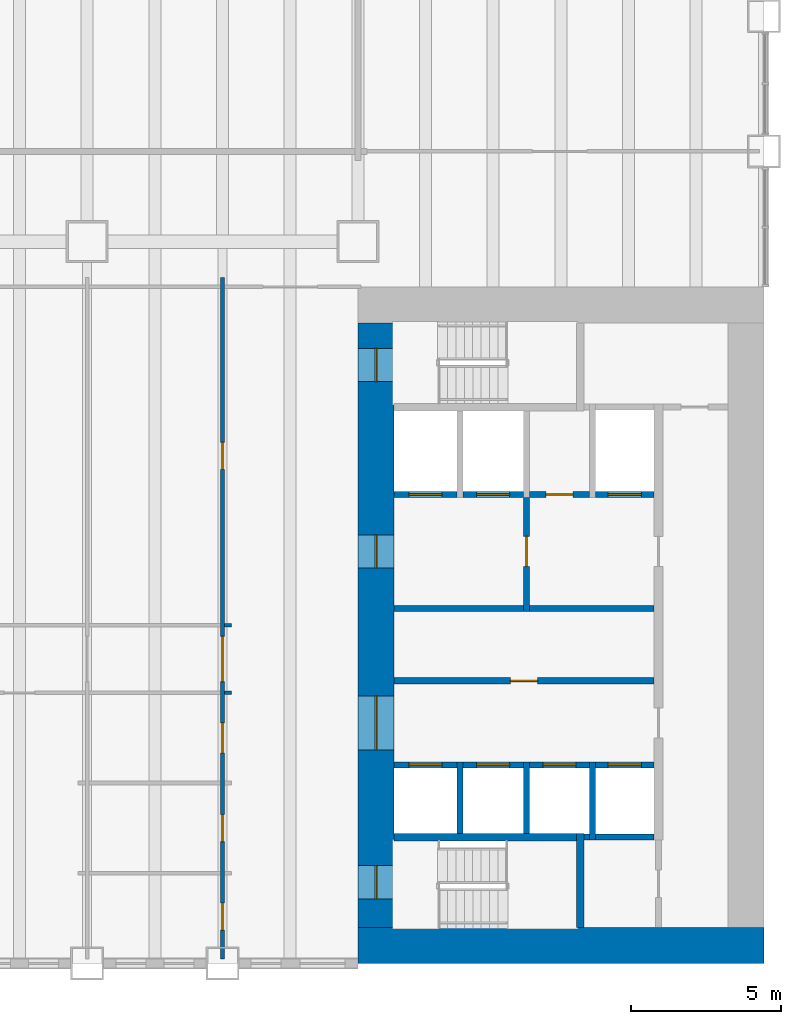
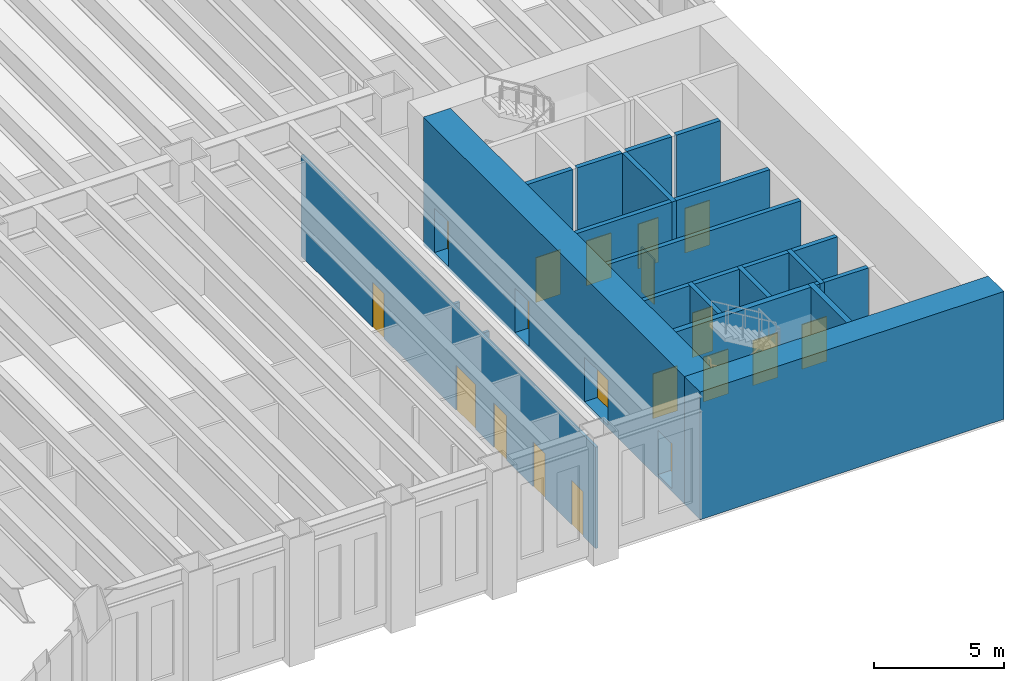
# One storey, part 9 of 19: 24 walls, 19 doors, 19 openings.
"""IFC4 building model written with IfcOpenShell, lengths in metres."""

from ifc_helpers import new_model, si_unit, direction, frame, frame_2d, origin, place, context, subcontext, project, spatial, rectangle, extrude, material, layer, layer_set, type_object, element, fill, save


model = new_model("IFC4")

# Units and contexts
model_context = context("Model", 3, precision=1e-05, world=origin(), true_north=direction((0.0, 1.0)))
body_context = subcontext(model_context, "Body", "Model", "MODEL_VIEW")
ifc_project = project(units=[si_unit("LENGTHUNIT", "METRE"), si_unit("AREAUNIT", "SQUARE_METRE"), si_unit("VOLUMEUNIT", "CUBIC_METRE"), si_unit("PLANEANGLEUNIT", "RADIAN"), si_unit("MASSUNIT", "GRAM", prefix="KILO")], contexts=[model_context])

# Site, building, storey
site_placement = place(None, origin())
site = spatial("IfcSite", under=ifc_project, at=site_placement, CompositionType="ELEMENT")
building_placement = place(site_placement, origin())
building = spatial("IfcBuilding", under=site, at=building_placement, Name="Sennacour Bend Tower", CompositionType="ELEMENT")
storey_placement = place(building_placement, frame((0.0, 0.0, 8.0)))
storey = spatial("IfcBuildingStorey", under=building, at=storey_placement, Name="L01", CompositionType="ELEMENT", Elevation=8.0)

# Wall
ifc_material_1 = material(Name="Concrete C80/95", Category="concrete")
ifc_layer_1 = layer(ifc_material_1, 1.199951171875, Name="Concrete C80/95", Category="concrete")
ifc_layer_set_1 = layer_set([ifc_layer_1], Name="Concrete C80/95")
wall_type_1 = type_object("IfcWallType", Name="Core wall 1200 C80/95", PredefinedType="SHEAR", material=ifc_layer_set_1)
wall_1_placement = place(storey_placement, frame((67.5, 0.60009765625, -0.14990234375), z_axis=(0.0, 0.0, 1.0), x_axis=(-1.0, 0.0, 0.0)))
element("IfcWall", 1, at=wall_1_placement, inside=storey, type_object=wall_type_1, Name="Core A wall L01 S", PredefinedType="SHEAR", context=body_context, shape_type="SweptSolid", body=[
    extrude(rectangle(XDim=13.5, YDim=1.199951171875, at=frame_2d((6.75, 0.0))), origin(), (0.0, 0.0, 1.0), 6.0),
])

# Wall, openings, doors
wall_2_placement = place(storey_placement, frame((54.60009765625, 1.199951171875, -0.14990234375), z_axis=(0.0, 0.0, 1.0), x_axis=(0.0, 1.0, 0.0)))
wall_2 = element("IfcWall", 2, at=wall_2_placement, inside=storey, type_object=wall_type_1, Name="Core A wall L01 W", PredefinedType="SHEAR", context=body_context, shape_type="SweptSolid", body=[
    extrude(rectangle(XDim=20.10009765625, YDim=1.199951171875, at=frame_2d((10.050048828125, 0.0))), origin(), (0.0, 0.0, 1.0), 6.0),
])
opening_1_placement = place(wall_2_placement, frame((5.89990234375, 0.0, 0.14990234375)))
opening_1 = element("IfcOpeningElement", 3, at=opening_1_placement, cuts=wall_2, Name="Opening CD", PredefinedType="OPENING", context=body_context, shape_type="SweptSolid", body=[
    extrude(rectangle(XDim=1.800048828125, YDim=2.10009765625, at=frame_2d((0.89990234375, 1.050048828125))), frame((0.0, 0.60986328125, 0.0), z_axis=(0.0, -1.0, 0.0), x_axis=(1.0, 0.0, 0.0)), (0.0, 0.0, 1.0), 1.219970703125),
])
opening_2_placement = place(wall_2_placement, frame((11.949951171875, 0.0, 0.14990234375)))
opening_2 = element("IfcOpeningElement", 4, at=opening_2_placement, cuts=wall_2, Name="Opening FD", PredefinedType="OPENING", context=body_context, shape_type="SweptSolid", body=[
    extrude(rectangle(XDim=1.10009765625, YDim=2.10009765625, at=frame_2d((0.550048828125, 1.050048828125))), frame((0.0, 0.60986328125, 0.0), z_axis=(0.0, -1.0, 0.0), x_axis=(1.0, 0.0, 0.0)), (0.0, 0.0, 1.0), 1.219970703125),
])
opening_3_placement = place(wall_2_placement, frame((0.949951171875, 0.0, 0.14990234375)))
opening_3 = element("IfcOpeningElement", 5, at=opening_3_placement, cuts=wall_2, Name="Opening SD", PredefinedType="OPENING", context=body_context, shape_type="SweptSolid", body=[
    extrude(rectangle(XDim=1.10009765625, YDim=2.10009765625, at=frame_2d((0.550048828125, 1.050048828125))), frame((0.0, 0.60986328125, 0.0), z_axis=(0.0, -1.0, 0.0), x_axis=(1.0, 0.0, 0.0)), (0.0, 0.0, 1.0), 1.219970703125),
])
opening_4_placement = place(wall_2_placement, frame((18.14990234375, 0.0, 0.14990234375)))
opening_4 = element("IfcOpeningElement", 6, at=opening_4_placement, cuts=wall_2, Name="Opening SD", PredefinedType="OPENING", context=body_context, shape_type="SweptSolid", body=[
    extrude(rectangle(XDim=1.10009765625, YDim=2.10009765625, at=frame_2d((0.550048828125, 1.050048828125))), frame((0.0, 0.60986328125, 0.0), z_axis=(0.0, -1.0, 0.0), x_axis=(1.0, 0.0, 0.0)), (0.0, 0.0, 1.0), 1.219970703125),
])
ifc_material_2 = material(Name="Painted steel", Category="steel")
door_type_1 = type_object("IfcDoorType", Name="DR-FFL-1100", OperationType="NOTDEFINED", PredefinedType="DOOR", material=ifc_material_2)
door_1_placement = place(opening_2_placement, origin())
door_1 = element("IfcDoor", 7, at=door_1_placement, inside=storey, type_object=door_type_1, Name="Door", OperationType="SINGLE_SWING_RIGHT", OverallHeight=2.10009765625, OverallWidth=1.10009765625, PredefinedType="DOOR", context=body_context, shape_type="SweptSolid", body=[
    extrude(rectangle(XDim=1.10009765625, YDim=2.10009765625, at=frame_2d((0.550048828125, 1.050048828125))), frame((0.0, 0.02490234375, 0.0), z_axis=(0.0, -1.0, 0.0), x_axis=(1.0, 0.0, 0.0)), (0.0, 0.0, 1.0), 0.050048828125),
])
fill(opening_2, door_1)
door_type_2 = type_object("IfcDoorType", Name="DR-LOBBY-1800", OperationType="NOTDEFINED", PredefinedType="DOOR", material=ifc_material_2)
door_2_placement = place(opening_1_placement, origin())
door_2 = element("IfcDoor", 8, at=door_2_placement, inside=storey, type_object=door_type_2, Name="Door", OperationType="DOUBLE_DOOR_SINGLE_SWING", OverallHeight=2.10009765625, OverallWidth=1.800048828125, PredefinedType="DOOR", context=body_context, shape_type="SweptSolid", body=[
    extrude(rectangle(XDim=1.800048828125, YDim=2.10009765625, at=frame_2d((0.89990234375, 1.050048828125))), frame((0.0, 0.02490234375, 0.0), z_axis=(0.0, -1.0, 0.0), x_axis=(1.0, 0.0, 0.0)), (0.0, 0.0, 1.0), 0.050048828125),
])
fill(opening_1, door_2)
door_type_3 = type_object("IfcDoorType", Name="DR-STAIR-1100", OperationType="NOTDEFINED", PredefinedType="DOOR", material=ifc_material_2)
door_3_placement = place(opening_3_placement, origin())
door_3 = element("IfcDoor", 9, at=door_3_placement, inside=storey, type_object=door_type_3, Name="Door", OperationType="SINGLE_SWING_LEFT", OverallHeight=2.10009765625, OverallWidth=1.10009765625, PredefinedType="DOOR", context=body_context, shape_type="SweptSolid", body=[
    extrude(rectangle(XDim=1.10009765625, YDim=2.10009765625, at=frame_2d((0.550048828125, 1.050048828125))), frame((0.0, 0.02490234375, 0.0), z_axis=(0.0, -1.0, 0.0), x_axis=(1.0, 0.0, 0.0)), (0.0, 0.0, 1.0), 0.050048828125),
])
fill(opening_3, door_3)
door_4_placement = place(opening_4_placement, origin())
door_4 = element("IfcDoor", 10, at=door_4_placement, inside=storey, type_object=door_type_3, Name="Door", OperationType="SINGLE_SWING_RIGHT", OverallHeight=2.10009765625, OverallWidth=1.10009765625, PredefinedType="DOOR", context=body_context, shape_type="SweptSolid", body=[
    extrude(rectangle(XDim=1.10009765625, YDim=2.10009765625, at=frame_2d((0.550048828125, 1.050048828125))), frame((0.0, 0.02490234375, 0.0), z_axis=(0.0, -1.0, 0.0), x_axis=(1.0, 0.0, 0.0)), (0.0, 0.0, 1.0), 0.050048828125),
])
fill(opening_4, door_4)

# Walls
ifc_material_3 = material(Name="Plasterboard partition on steel studs", Category="steel")
ifc_layer_2 = layer(ifc_material_3, 0.1201171875, Name="Plasterboard partition on steel studs", Category="steel")
ifc_layer_set_2 = layer_set([ifc_layer_2], Name="Plasterboard partition on steel studs")
wall_type_2 = type_object("IfcWallType", Name="Partition 120", PredefinedType="PARTITIONING", material=ifc_layer_set_2)
for number, where, z_axis, x_axis, name in (
    (11, (49.56005859375, 9.0, 0.0), (0.0, 0.0, 1.0), (1.0, 0.0, 0.0), "P-L01-W051ai"),
    (12, (49.56005859375, 11.25, 0.0), (0.0, 0.0, 1.0), (1.0, 0.0, 0.0), "P-L01-W053ag"),
):
    element("IfcWall", number, at=place(storey_placement, frame(where, z_axis=z_axis, x_axis=x_axis)), inside=storey, type_object=wall_type_2, Name=name, PredefinedType="PARTITIONING", context=body_context, shape_type="SweptSolid", body=[
        extrude(rectangle(XDim=0.239990234375, YDim=0.1201171875, at=frame_2d((0.1201171875, 0.0))), origin(), (0.0, 0.0, 1.0), 4.7587890625),
    ])

# Wall, openings, doors
ifc_layer_3 = layer(ifc_material_3, 0.1201171875, Name="Plasterboard partition on steel studs", Category="steel")
ifc_layer_set_3 = layer_set([ifc_layer_3], Name="Plasterboard partition on steel studs")
wall_type_3 = type_object("IfcWallType", Name="Partition 120 EI 60", PredefinedType="PARTITIONING", material=ifc_layer_set_3)
wall_3_placement = place(storey_placement, frame((49.5, 0.14990234375, 0.0), z_axis=(0.0, 0.0, 1.0), x_axis=(0.0, 1.0, 0.0)))
wall_3 = element("IfcWall", 13, at=wall_3_placement, inside=storey, type_object=wall_type_3, Name="P-L01-W028a", PredefinedType="PARTITIONING", context=body_context, shape_type="SweptSolid", body=[
    extrude(rectangle(XDim=22.650146484375, YDim=0.1201171875, at=frame_2d((11.3251953125, 0.0))), origin(), (0.0, 0.0, 1.0), 4.7587890625),
])
opening_5_placement = place(wall_3_placement, frame((0.955078125, 0.0, 0.0)))
opening_5 = element("IfcOpeningElement", 14, at=opening_5_placement, cuts=wall_3, Name="Opening WD", PredefinedType="OPENING", context=body_context, shape_type="SweptSolid", body=[
    extrude(rectangle(XDim=0.89990234375, YDim=2.10009765625, at=frame_2d((0.449951171875, 1.050048828125))), frame((0.0, 0.070068359375, 0.0), z_axis=(0.0, -1.0, 0.0), x_axis=(1.0, 0.0, 0.0)), (0.0, 0.0, 1.0), 0.14013671875),
])
opening_6_placement = place(wall_3_placement, frame((3.900146484375, 0.0, 0.0)))
opening_6 = element("IfcOpeningElement", 15, at=opening_6_placement, cuts=wall_3, Name="Opening WD", PredefinedType="OPENING", context=body_context, shape_type="SweptSolid", body=[
    extrude(rectangle(XDim=0.89990234375, YDim=2.10009765625, at=frame_2d((0.449951171875, 1.050048828125))), frame((0.0, 0.070068359375, 0.0), z_axis=(0.0, -1.0, 0.0), x_axis=(1.0, 0.0, 0.0)), (0.0, 0.0, 1.0), 0.14013671875),
])
opening_7_placement = place(wall_3_placement, frame((6.85009765625, 0.0, 0.0)))
opening_7 = element("IfcOpeningElement", 16, at=opening_7_placement, cuts=wall_3, Name="Opening AD", PredefinedType="OPENING", context=body_context, shape_type="SweptSolid", body=[
    extrude(rectangle(XDim=1.0, YDim=2.10009765625, at=frame_2d((0.5, 1.050048828125))), frame((0.0, 0.070068359375, 0.0), z_axis=(0.0, -1.0, 0.0), x_axis=(1.0, 0.0, 0.0)), (0.0, 0.0, 1.0), 0.14013671875),
])
opening_8_placement = place(wall_3_placement, frame((16.275146484375, 0.0, 0.0)))
opening_8 = element("IfcOpeningElement", 17, at=opening_8_placement, cuts=wall_3, Name="Opening SV", PredefinedType="OPENING", context=body_context, shape_type="SweptSolid", body=[
    extrude(rectangle(XDim=0.89990234375, YDim=2.10009765625, at=frame_2d((0.449951171875, 1.050048828125))), frame((0.0, 0.070068359375, 0.0), z_axis=(0.0, -1.0, 0.0), x_axis=(1.0, 0.0, 0.0)), (0.0, 0.0, 1.0), 0.14013671875),
])
opening_9_placement = place(wall_3_placement, frame((9.22509765625, 0.0, 0.0)))
opening_9 = element("IfcOpeningElement", 18, at=opening_9_placement, cuts=wall_3, Name="Opening KD", PredefinedType="OPENING", context=body_context, shape_type="SweptSolid", body=[
    extrude(rectangle(XDim=1.5, YDim=2.10009765625, at=frame_2d((0.75, 1.050048828125))), frame((0.0, 0.070068359375, 0.0), z_axis=(0.0, -1.0, 0.0), x_axis=(1.0, 0.0, 0.0)), (0.0, 0.0, 1.0), 0.14013671875),
])
ifc_material_4 = material(Name="Timber", Category="wood")
door_type_4 = type_object("IfcDoorType", Name="DR-ACC-WC-1000", OperationType="NOTDEFINED", PredefinedType="DOOR", material=ifc_material_4)
door_5_placement = place(opening_7_placement, origin())
door_5 = element("IfcDoor", 19, at=door_5_placement, inside=storey, type_object=door_type_4, Name="Door", OperationType="SINGLE_SWING_LEFT", OverallHeight=2.10009765625, OverallWidth=1.0, PredefinedType="DOOR", context=body_context, shape_type="SweptSolid", body=[
    extrude(rectangle(XDim=1.0, YDim=2.10009765625, at=frame_2d((0.5, 1.050048828125))), frame((0.0, 0.02490234375, 0.0), z_axis=(0.0, -1.0, 0.0), x_axis=(1.0, 0.0, 0.0)), (0.0, 0.0, 1.0), 0.050048828125),
])
fill(opening_7, door_5)
door_type_5 = type_object("IfcDoorType", Name="DR-CORRIDOR-1500", OperationType="NOTDEFINED", PredefinedType="DOOR", material=ifc_material_2)
door_6_placement = place(opening_9_placement, origin())
door_6 = element("IfcDoor", 20, at=door_6_placement, inside=storey, type_object=door_type_5, Name="Door", OperationType="SINGLE_SWING_LEFT", OverallHeight=2.10009765625, OverallWidth=1.5, PredefinedType="DOOR", context=body_context, shape_type="SweptSolid", body=[
    extrude(rectangle(XDim=1.5, YDim=2.10009765625, at=frame_2d((0.75, 1.050048828125))), frame((0.0, 0.02490234375, 0.0), z_axis=(0.0, -1.0, 0.0), x_axis=(1.0, 0.0, 0.0)), (0.0, 0.0, 1.0), 0.050048828125),
])
fill(opening_9, door_6)
door_type_6 = type_object("IfcDoorType", Name="DR-SERVICE-900", OperationType="NOTDEFINED", PredefinedType="DOOR", material=ifc_material_2)
door_7_placement = place(opening_8_placement, origin())
door_7 = element("IfcDoor", 21, at=door_7_placement, inside=storey, type_object=door_type_6, Name="Door", OperationType="SINGLE_SWING_RIGHT", OverallHeight=2.10009765625, OverallWidth=0.89990234375, PredefinedType="DOOR", context=body_context, shape_type="SweptSolid", body=[
    extrude(rectangle(XDim=0.89990234375, YDim=2.10009765625, at=frame_2d((0.449951171875, 1.050048828125))), frame((0.0, 0.02490234375, 0.0), z_axis=(0.0, -1.0, 0.0), x_axis=(1.0, 0.0, 0.0)), (0.0, 0.0, 1.0), 0.050048828125),
])
fill(opening_8, door_7)
door_type_7 = type_object("IfcDoorType", Name="DR-WC-900", OperationType="NOTDEFINED", PredefinedType="DOOR", material=ifc_material_4)
door_8_placement = place(opening_5_placement, origin())
door_8 = element("IfcDoor", 22, at=door_8_placement, inside=storey, type_object=door_type_7, Name="Door", OperationType="SINGLE_SWING_LEFT", OverallHeight=2.10009765625, OverallWidth=0.89990234375, PredefinedType="DOOR", context=body_context, shape_type="SweptSolid", body=[
    extrude(rectangle(XDim=0.89990234375, YDim=2.10009765625, at=frame_2d((0.449951171875, 1.050048828125))), frame((0.0, 0.02490234375, 0.0), z_axis=(0.0, -1.0, 0.0), x_axis=(1.0, 0.0, 0.0)), (0.0, 0.0, 1.0), 0.050048828125),
])
fill(opening_5, door_8)
door_9_placement = place(opening_6_placement, origin())
door_9 = element("IfcDoor", 23, at=door_9_placement, inside=storey, type_object=door_type_7, Name="Door", OperationType="SINGLE_SWING_LEFT", OverallHeight=2.10009765625, OverallWidth=0.89990234375, PredefinedType="DOOR", context=body_context, shape_type="SweptSolid", body=[
    extrude(rectangle(XDim=0.89990234375, YDim=2.10009765625, at=frame_2d((0.449951171875, 1.050048828125))), frame((0.0, 0.02490234375, 0.0), z_axis=(0.0, -1.0, 0.0), x_axis=(1.0, 0.0, 0.0)), (0.0, 0.0, 1.0), 0.050048828125),
])
fill(opening_6, door_9)

# Wall, opening, door
ifc_material_5 = material(Name="Fire-rated plasterboard partition on steel studs", Category="steel")
ifc_layer_4 = layer(ifc_material_5, 0.199951171875, Name="Fire-rated plasterboard partition on steel studs", Category="steel")
ifc_layer_set_4 = layer_set([ifc_layer_4], Name="Fire-rated plasterboard partition on steel studs")
wall_type_4 = type_object("IfcWallType", Name="Rated partition 200", PredefinedType="PARTITIONING", material=ifc_layer_set_4)
wall_4_placement = place(storey_placement, frame((55.199951171875, 9.39990234375, 0.0), z_axis=(0.0, 0.0, 1.0), x_axis=(1.0, 0.0, 0.0)))
wall_4 = element("IfcWall", 24, at=wall_4_placement, inside=storey, type_object=wall_type_4, Name="P-L01-W052", PredefinedType="PARTITIONING", context=body_context, shape_type="SweptSolid", body=[
    extrude(rectangle(XDim=8.650146484375, YDim=0.199951171875, at=frame_2d((4.3251953125, 0.0))), origin(), (0.0, 0.0, 1.0), 5.75),
])
opening_10_placement = place(wall_4_placement, frame((3.875, 0.0, 0.0)))
opening_10 = element("IfcOpeningElement", 25, at=opening_10_placement, cuts=wall_4, Name="Opening SV", PredefinedType="OPENING", context=body_context, shape_type="SweptSolid", body=[
    extrude(rectangle(XDim=0.89990234375, YDim=2.10009765625, at=frame_2d((0.449951171875, 1.050048828125))), frame((0.0, 0.10986328125, 0.0), z_axis=(0.0, -1.0, 0.0), x_axis=(1.0, 0.0, 0.0)), (0.0, 0.0, 1.0), 0.219970703125),
])
door_10_placement = place(opening_10_placement, origin())
door_10 = element("IfcDoor", 26, at=door_10_placement, inside=storey, type_object=door_type_6, Name="Door", OperationType="SINGLE_SWING_LEFT", OverallHeight=2.10009765625, OverallWidth=0.89990234375, PredefinedType="DOOR", context=body_context, shape_type="SweptSolid", body=[
    extrude(rectangle(XDim=0.89990234375, YDim=2.10009765625, at=frame_2d((0.449951171875, 1.050048828125))), frame((0.0, 0.02490234375, 0.0), z_axis=(0.0, -1.0, 0.0), x_axis=(1.0, 0.0, 0.0)), (0.0, 0.0, 1.0), 0.050048828125),
])
fill(opening_10, door_10)

# Walls
wall_5_placement = place(storey_placement, frame((55.199951171875, 11.800048828125, 0.0), z_axis=(0.0, 0.0, 1.0), x_axis=(1.0, 0.0, 0.0)))
element("IfcWall", 27, at=wall_5_placement, inside=storey, type_object=wall_type_4, Name="P-L01-W054a", PredefinedType="PARTITIONING", context=body_context, shape_type="SweptSolid", body=[
    extrude(rectangle(XDim=4.300048828125, YDim=0.199951171875, at=frame_2d((2.14990234375, 0.0))), origin(), (0.0, 0.0, 1.0), 5.75),
])
wall_6_placement = place(storey_placement, frame((59.699951171875, 11.800048828125, 0.0), z_axis=(0.0, 0.0, 1.0), x_axis=(1.0, 0.0, 0.0)))
element("IfcWall", 28, at=wall_6_placement, inside=storey, type_object=wall_type_4, Name="P-L01-W054b", PredefinedType="PARTITIONING", context=body_context, shape_type="SweptSolid", body=[
    extrude(rectangle(XDim=4.150146484375, YDim=0.199951171875, at=frame_2d((2.0751953125, 0.0))), origin(), (0.0, 0.0, 1.0), 5.75),
])

# Wall, opening, door
wall_7_placement = place(storey_placement, frame((59.699951171875, 15.60009765625, 0.0), z_axis=(0.0, 0.0, 1.0), x_axis=(1.0, 0.0, 0.0)))
wall_7 = element("IfcWall", 29, at=wall_7_placement, inside=storey, type_object=wall_type_4, Name="P-L01-W056", PredefinedType="PARTITIONING", context=body_context, shape_type="SweptSolid", body=[
    extrude(rectangle(XDim=2.0, YDim=0.199951171875, at=frame_2d((1.0, 0.0))), origin(), (0.0, 0.0, 1.0), 5.75),
])
opening_11_placement = place(wall_7_placement, frame((0.550048828125, 0.0, 0.0)))
opening_11 = element("IfcOpeningElement", 30, at=opening_11_placement, cuts=wall_7, Name="Opening SV", PredefinedType="OPENING", context=body_context, shape_type="SweptSolid", body=[
    extrude(rectangle(XDim=0.89990234375, YDim=2.10009765625, at=frame_2d((0.449951171875, 1.050048828125))), frame((0.0, 0.10986328125, 0.0), z_axis=(0.0, -1.0, 0.0), x_axis=(1.0, 0.0, 0.0)), (0.0, 0.0, 1.0), 0.219970703125),
])
door_11_placement = place(opening_11_placement, origin())
door_11 = element("IfcDoor", 31, at=door_11_placement, inside=storey, type_object=door_type_6, Name="Door", OperationType="SINGLE_SWING_RIGHT", OverallHeight=2.10009765625, OverallWidth=0.89990234375, PredefinedType="DOOR", context=body_context, shape_type="SweptSolid", body=[
    extrude(rectangle(XDim=0.89990234375, YDim=2.10009765625, at=frame_2d((0.449951171875, 1.050048828125))), frame((0.0, 0.02490234375, 0.0), z_axis=(0.0, -1.0, 0.0), x_axis=(1.0, 0.0, 0.0)), (0.0, 0.0, 1.0), 0.050048828125),
])
fill(opening_11, door_11)

ifc_layer_5 = layer(ifc_material_5, 0.199951171875, Name="Fire-rated plasterboard partition on steel studs", Category="steel")
ifc_layer_set_5 = layer_set([ifc_layer_5], Name="Fire-rated plasterboard partition on steel studs")
wall_type_5 = type_object("IfcWallType", Name="Rated partition 200 EI 90", PredefinedType="PARTITIONING", material=ifc_layer_set_5)
wall_8_placement = place(storey_placement, frame((59.60009765625, 11.699951171875, 0.0), z_axis=(0.0, 0.0, 1.0), x_axis=(0.0, 1.0, 0.0)))
wall_8 = element("IfcWall", 32, at=wall_8_placement, inside=storey, type_object=wall_type_5, Name="P-L01-W033", PredefinedType="PARTITIONING", context=body_context, shape_type="SweptSolid", body=[
    extrude(rectangle(XDim=3.800048828125, YDim=0.199951171875, at=frame_2d((1.89990234375, 0.0))), origin(), (0.0, 0.0, 1.0), 5.75),
])
opening_12_placement = place(wall_8_placement, frame((1.5, 0.0, 0.0)))
opening_12 = element("IfcOpeningElement", 33, at=opening_12_placement, cuts=wall_8, Name="Opening FD2", PredefinedType="OPENING", context=body_context, shape_type="SweptSolid", body=[
    extrude(rectangle(XDim=1.0, YDim=2.10009765625, at=frame_2d((0.5, 1.050048828125))), frame((0.0, 0.10986328125, 0.0), z_axis=(0.0, -1.0, 0.0), x_axis=(1.0, 0.0, 0.0)), (0.0, 0.0, 1.0), 0.219970703125),
])
door_type_8 = type_object("IfcDoorType", Name="DR-FFL-1000", OperationType="NOTDEFINED", PredefinedType="DOOR", material=ifc_material_2)
door_12_placement = place(opening_12_placement, origin())
door_12 = element("IfcDoor", 34, at=door_12_placement, inside=storey, type_object=door_type_8, Name="Door", OperationType="SINGLE_SWING_RIGHT", OverallHeight=2.10009765625, OverallWidth=1.0, PredefinedType="DOOR", context=body_context, shape_type="SweptSolid", body=[
    extrude(rectangle(XDim=1.0, YDim=2.10009765625, at=frame_2d((0.5, 1.050048828125))), frame((0.0, 0.02490234375, 0.0), z_axis=(0.0, -1.0, 0.0), x_axis=(1.0, 0.0, 0.0)), (0.0, 0.0, 1.0), 0.050048828125),
])
fill(opening_12, door_12)

# Walls
ifc_material_6 = material(Name="Concrete C50/60", Category="concrete")
ifc_layer_6 = layer(ifc_material_6, 0.199951171875, Name="Concrete C50/60", Category="concrete")
ifc_layer_set_6 = layer_set([ifc_layer_6], Name="Concrete C50/60")
wall_type_6 = type_object("IfcWallType", Name="Shaft wall 200", PredefinedType="SOLIDWALL", material=ifc_layer_set_6)
for number, where, z_axis, x_axis, name in (
    (35, (57.39990234375, 4.324951171875, 0.0), (0.0, 0.0, 1.0), (0.0, 1.0, 0.0), "P-L01-W030"),
    (36, (59.60009765625, 4.324951171875, 0.0), (0.0, 0.0, 1.0), (0.0, 1.0, 0.0), "P-L01-W032"),
):
    element("IfcWall", number, at=place(storey_placement, frame(where, z_axis=z_axis, x_axis=x_axis)), inside=storey, type_object=wall_type_6, Name=name, PredefinedType="SOLIDWALL", context=body_context, shape_type="SweptSolid", body=[
        extrude(rectangle(XDim=2.375, YDim=0.199951171875, at=frame_2d((1.1875, 0.0))), origin(), (0.0, 0.0, 1.0), 5.75),
    ])
wall_9_placement = place(storey_placement, frame((61.800048828125, 4.10009765625, 0.0), z_axis=(0.0, 0.0, 1.0), x_axis=(0.0, 1.0, 0.0)))
element("IfcWall", 37, at=wall_9_placement, inside=storey, type_object=wall_type_6, Name="P-L01-W037", PredefinedType="SOLIDWALL", context=body_context, shape_type="SweptSolid", body=[
    extrude(rectangle(XDim=2.599853515625, YDim=0.199951171875, at=frame_2d((1.2998046875, 0.0))), origin(), (0.0, 0.0, 1.0), 5.75),
])
wall_10_placement = place(storey_placement, frame((61.52490234375, 4.199951171875, 0.0), z_axis=(0.0, 0.0, 1.0), x_axis=(1.0, 0.0, 0.0)))
element("IfcWall", 38, at=wall_10_placement, inside=storey, type_object=wall_type_6, Name="P-L01-W048a", PredefinedType="SOLIDWALL", context=body_context, shape_type="SweptSolid", body=[
    extrude(rectangle(XDim=0.175048828125, YDim=0.199951171875, at=frame_2d((0.08740234375, 0.0))), origin(), (0.0, 0.0, 1.0), 5.75),
])
wall_11_placement = place(storey_placement, frame((61.89990234375, 4.199951171875, 0.0), z_axis=(0.0, 0.0, 1.0), x_axis=(1.0, 0.0, 0.0)))
element("IfcWall", 39, at=wall_11_placement, inside=storey, type_object=wall_type_6, Name="P-L01-W048b", PredefinedType="SOLIDWALL", context=body_context, shape_type="SweptSolid", body=[
    extrude(rectangle(XDim=1.9501953125, YDim=0.199951171875, at=frame_2d((0.97509765625, 0.0))), origin(), (0.0, 0.0, 1.0), 5.75),
])

# Wall, opening, door
wall_12_placement = place(storey_placement, frame((55.199951171875, 6.60009765625, 0.0), z_axis=(0.0, 0.0, 1.0), x_axis=(1.0, 0.0, 0.0)))
wall_12 = element("IfcWall", 40, at=wall_12_placement, inside=storey, type_object=wall_type_6, Name="P-L01-W050a", PredefinedType="SOLIDWALL", context=body_context, shape_type="SweptSolid", body=[
    extrude(rectangle(XDim=2.10009765625, YDim=0.199951171875, at=frame_2d((1.050048828125, 0.0))), origin(), (0.0, 0.0, 1.0), 5.75),
])
opening_13_placement = place(wall_12_placement, frame((0.5, 0.0, 0.011962890625)))
opening_13 = element("IfcOpeningElement", 41, at=opening_13_placement, cuts=wall_12, Name="Opening LD", PredefinedType="OPENING", context=body_context, shape_type="SweptSolid", body=[
    extrude(rectangle(XDim=1.10009765625, YDim=2.10009765625, at=frame_2d((0.550048828125, 1.050048828125))), frame((0.0, 0.10986328125, 0.0), z_axis=(0.0, -1.0, 0.0), x_axis=(1.0, 0.0, 0.0)), (0.0, 0.0, 1.0), 0.219970703125),
])
ifc_material_7 = material(Name="Stainless steel", Category="steel")
door_type_9 = type_object("IfcDoorType", Name="DR-LANDING-1100", OperationType="NOTDEFINED", PredefinedType="DOOR", material=ifc_material_7)
door_13_placement = place(opening_13_placement, origin())
door_13 = element("IfcDoor", 42, at=door_13_placement, inside=storey, type_object=door_type_9, Name="Lift landing door LA1", OperationType="SLIDING_TO_LEFT", OverallHeight=2.10009765625, OverallWidth=1.10009765625, PredefinedType="DOOR", context=body_context, shape_type="SweptSolid", body=[
    extrude(rectangle(XDim=1.10009765625, YDim=2.10009765625, at=frame_2d((0.550048828125, 1.050048828125))), frame((0.0, 0.02490234375, 0.0), z_axis=(0.0, -1.0, 0.0), x_axis=(1.0, 0.0, 0.0)), (0.0, 0.0, 1.0), 0.050048828125),
])
fill(opening_13, door_13)

wall_13_placement = place(storey_placement, frame((57.5, 6.60009765625, 0.0), z_axis=(0.0, 0.0, 1.0), x_axis=(1.0, 0.0, 0.0)))
wall_13 = element("IfcWall", 43, at=wall_13_placement, inside=storey, type_object=wall_type_6, Name="P-L01-W050b", PredefinedType="SOLIDWALL", context=body_context, shape_type="SweptSolid", body=[
    extrude(rectangle(XDim=2.0, YDim=0.199951171875, at=frame_2d((1.0, 0.0))), origin(), (0.0, 0.0, 1.0), 5.75),
])
opening_14_placement = place(wall_13_placement, frame((0.449951171875, 0.0, 0.011962890625)))
opening_14 = element("IfcOpeningElement", 44, at=opening_14_placement, cuts=wall_13, Name="Opening LD", PredefinedType="OPENING", context=body_context, shape_type="SweptSolid", body=[
    extrude(rectangle(XDim=1.10009765625, YDim=2.10009765625, at=frame_2d((0.550048828125, 1.050048828125))), frame((0.0, 0.10986328125, 0.0), z_axis=(0.0, -1.0, 0.0), x_axis=(1.0, 0.0, 0.0)), (0.0, 0.0, 1.0), 0.219970703125),
])
door_14_placement = place(opening_14_placement, origin())
door_14 = element("IfcDoor", 45, at=door_14_placement, inside=storey, type_object=door_type_9, Name="Lift landing door LA2", OperationType="SLIDING_TO_RIGHT", OverallHeight=2.10009765625, OverallWidth=1.10009765625, PredefinedType="DOOR", context=body_context, shape_type="SweptSolid", body=[
    extrude(rectangle(XDim=1.10009765625, YDim=2.10009765625, at=frame_2d((0.550048828125, 1.050048828125))), frame((0.0, 0.02490234375, 0.0), z_axis=(0.0, -1.0, 0.0), x_axis=(1.0, 0.0, 0.0)), (0.0, 0.0, 1.0), 0.050048828125),
])
fill(opening_14, door_14)

wall_14_placement = place(storey_placement, frame((59.699951171875, 6.60009765625, 0.0), z_axis=(0.0, 0.0, 1.0), x_axis=(1.0, 0.0, 0.0)))
wall_14 = element("IfcWall", 46, at=wall_14_placement, inside=storey, type_object=wall_type_6, Name="P-L01-W050c", PredefinedType="SOLIDWALL", context=body_context, shape_type="SweptSolid", body=[
    extrude(rectangle(XDim=2.0, YDim=0.199951171875, at=frame_2d((1.0, 0.0))), origin(), (0.0, 0.0, 1.0), 5.75),
])
opening_15_placement = place(wall_14_placement, frame((0.449951171875, 0.0, 0.011962890625)))
opening_15 = element("IfcOpeningElement", 47, at=opening_15_placement, cuts=wall_14, Name="Opening LD", PredefinedType="OPENING", context=body_context, shape_type="SweptSolid", body=[
    extrude(rectangle(XDim=1.10009765625, YDim=2.10009765625, at=frame_2d((0.550048828125, 1.050048828125))), frame((0.0, 0.10986328125, 0.0), z_axis=(0.0, -1.0, 0.0), x_axis=(1.0, 0.0, 0.0)), (0.0, 0.0, 1.0), 0.219970703125),
])
door_15_placement = place(opening_15_placement, origin())
door_15 = element("IfcDoor", 48, at=door_15_placement, inside=storey, type_object=door_type_9, Name="Lift landing door LA3", OperationType="SLIDING_TO_LEFT", OverallHeight=2.10009765625, OverallWidth=1.10009765625, PredefinedType="DOOR", context=body_context, shape_type="SweptSolid", body=[
    extrude(rectangle(XDim=1.10009765625, YDim=2.10009765625, at=frame_2d((0.550048828125, 1.050048828125))), frame((0.0, 0.02490234375, 0.0), z_axis=(0.0, -1.0, 0.0), x_axis=(1.0, 0.0, 0.0)), (0.0, 0.0, 1.0), 0.050048828125),
])
fill(opening_15, door_15)

wall_15_placement = place(storey_placement, frame((61.89990234375, 6.60009765625, 0.0), z_axis=(0.0, 0.0, 1.0), x_axis=(1.0, 0.0, 0.0)))
wall_15 = element("IfcWall", 49, at=wall_15_placement, inside=storey, type_object=wall_type_6, Name="P-L01-W050d", PredefinedType="SOLIDWALL", context=body_context, shape_type="SweptSolid", body=[
    extrude(rectangle(XDim=1.9501953125, YDim=0.199951171875, at=frame_2d((0.97509765625, 0.0))), origin(), (0.0, 0.0, 1.0), 5.75),
])
opening_16_placement = place(wall_15_placement, frame((0.425048828125, 0.0, 0.011962890625)))
opening_16 = element("IfcOpeningElement", 50, at=opening_16_placement, cuts=wall_15, Name="Opening LD", PredefinedType="OPENING", context=body_context, shape_type="SweptSolid", body=[
    extrude(rectangle(XDim=1.10009765625, YDim=2.10009765625, at=frame_2d((0.550048828125, 1.050048828125))), frame((0.0, 0.10986328125, 0.0), z_axis=(0.0, -1.0, 0.0), x_axis=(1.0, 0.0, 0.0)), (0.0, 0.0, 1.0), 0.219970703125),
])
door_16_placement = place(opening_16_placement, origin())
door_16 = element("IfcDoor", 51, at=door_16_placement, inside=storey, type_object=door_type_9, Name="Lift landing door LA4", OperationType="SLIDING_TO_RIGHT", OverallHeight=2.10009765625, OverallWidth=1.10009765625, PredefinedType="DOOR", context=body_context, shape_type="SweptSolid", body=[
    extrude(rectangle(XDim=1.10009765625, YDim=2.10009765625, at=frame_2d((0.550048828125, 1.050048828125))), frame((0.0, 0.02490234375, 0.0), z_axis=(0.0, -1.0, 0.0), x_axis=(1.0, 0.0, 0.0)), (0.0, 0.0, 1.0), 0.050048828125),
])
fill(opening_16, door_16)

wall_16_placement = place(storey_placement, frame((55.199951171875, 15.60009765625, 0.0), z_axis=(0.0, 0.0, 1.0), x_axis=(1.0, 0.0, 0.0)))
wall_16 = element("IfcWall", 52, at=wall_16_placement, inside=storey, type_object=wall_type_6, Name="P-L01-W055a", PredefinedType="SOLIDWALL", context=body_context, shape_type="SweptSolid", body=[
    extrude(rectangle(XDim=2.10009765625, YDim=0.199951171875, at=frame_2d((1.050048828125, 0.0))), origin(), (0.0, 0.0, 1.0), 5.75),
])
opening_17_placement = place(wall_16_placement, frame((0.5, 0.0, 0.011962890625)))
opening_17 = element("IfcOpeningElement", 53, at=opening_17_placement, cuts=wall_16, Name="Opening FLD", PredefinedType="OPENING", context=body_context, shape_type="SweptSolid", body=[
    extrude(rectangle(XDim=1.10009765625, YDim=2.10009765625, at=frame_2d((0.550048828125, 1.050048828125))), frame((0.0, 0.10986328125, 0.0), z_axis=(0.0, -1.0, 0.0), x_axis=(1.0, 0.0, 0.0)), (0.0, 0.0, 1.0), 0.219970703125),
])
door_type_10 = type_object("IfcDoorType", Name="DR-FF-LANDING-1100", OperationType="NOTDEFINED", PredefinedType="DOOR", material=ifc_material_7)
door_17_placement = place(opening_17_placement, origin())
door_17 = element("IfcDoor", 54, at=door_17_placement, inside=storey, type_object=door_type_10, Name="Fire service lift landing door FA1", OperationType="SLIDING_TO_LEFT", OverallHeight=2.10009765625, OverallWidth=1.10009765625, PredefinedType="DOOR", context=body_context, shape_type="SweptSolid", body=[
    extrude(rectangle(XDim=1.10009765625, YDim=2.10009765625, at=frame_2d((0.550048828125, 1.050048828125))), frame((0.0, 0.02490234375, 0.0), z_axis=(0.0, -1.0, 0.0), x_axis=(1.0, 0.0, 0.0)), (0.0, 0.0, 1.0), 0.050048828125),
])
fill(opening_17, door_17)

wall_17_placement = place(storey_placement, frame((57.5, 15.60009765625, 0.0), z_axis=(0.0, 0.0, 1.0), x_axis=(1.0, 0.0, 0.0)))
wall_17 = element("IfcWall", 55, at=wall_17_placement, inside=storey, type_object=wall_type_6, Name="P-L01-W055b", PredefinedType="SOLIDWALL", context=body_context, shape_type="SweptSolid", body=[
    extrude(rectangle(XDim=2.0, YDim=0.199951171875, at=frame_2d((1.0, 0.0))), origin(), (0.0, 0.0, 1.0), 5.75),
])
opening_18_placement = place(wall_17_placement, frame((0.449951171875, 0.0, 0.011962890625)))
opening_18 = element("IfcOpeningElement", 56, at=opening_18_placement, cuts=wall_17, Name="Opening FLD", PredefinedType="OPENING", context=body_context, shape_type="SweptSolid", body=[
    extrude(rectangle(XDim=1.10009765625, YDim=2.10009765625, at=frame_2d((0.550048828125, 1.050048828125))), frame((0.0, 0.10986328125, 0.0), z_axis=(0.0, -1.0, 0.0), x_axis=(1.0, 0.0, 0.0)), (0.0, 0.0, 1.0), 0.219970703125),
])
door_18_placement = place(opening_18_placement, origin())
door_18 = element("IfcDoor", 57, at=door_18_placement, inside=storey, type_object=door_type_10, Name="Fire service lift landing door FA2", OperationType="SLIDING_TO_RIGHT", OverallHeight=2.10009765625, OverallWidth=1.10009765625, PredefinedType="DOOR", context=body_context, shape_type="SweptSolid", body=[
    extrude(rectangle(XDim=1.10009765625, YDim=2.10009765625, at=frame_2d((0.550048828125, 1.050048828125))), frame((0.0, 0.02490234375, 0.0), z_axis=(0.0, -1.0, 0.0), x_axis=(1.0, 0.0, 0.0)), (0.0, 0.0, 1.0), 0.050048828125),
])
fill(opening_18, door_18)

wall_18_placement = place(storey_placement, frame((61.89990234375, 15.60009765625, 0.0), z_axis=(0.0, 0.0, 1.0), x_axis=(1.0, 0.0, 0.0)))
wall_18 = element("IfcWall", 58, at=wall_18_placement, inside=storey, type_object=wall_type_6, Name="P-L01-W057", PredefinedType="SOLIDWALL", context=body_context, shape_type="SweptSolid", body=[
    extrude(rectangle(XDim=1.9501953125, YDim=0.199951171875, at=frame_2d((0.97509765625, 0.0))), origin(), (0.0, 0.0, 1.0), 5.75),
])
opening_19_placement = place(wall_18_placement, frame((0.425048828125, 0.0, 0.011962890625)))
opening_19 = element("IfcOpeningElement", 59, at=opening_19_placement, cuts=wall_18, Name="Opening LD", PredefinedType="OPENING", context=body_context, shape_type="SweptSolid", body=[
    extrude(rectangle(XDim=1.10009765625, YDim=2.10009765625, at=frame_2d((0.550048828125, 1.050048828125))), frame((0.0, 0.10986328125, 0.0), z_axis=(0.0, -1.0, 0.0), x_axis=(1.0, 0.0, 0.0)), (0.0, 0.0, 1.0), 0.219970703125),
])
door_19_placement = place(opening_19_placement, origin())
door_19 = element("IfcDoor", 60, at=door_19_placement, inside=storey, type_object=door_type_9, Name="Lift landing door LA5", OperationType="SLIDING_TO_LEFT", OverallHeight=2.10009765625, OverallWidth=1.10009765625, PredefinedType="DOOR", context=body_context, shape_type="SweptSolid", body=[
    extrude(rectangle(XDim=1.10009765625, YDim=2.10009765625, at=frame_2d((0.550048828125, 1.050048828125))), frame((0.0, 0.02490234375, 0.0), z_axis=(0.0, -1.0, 0.0), x_axis=(1.0, 0.0, 0.0)), (0.0, 0.0, 1.0), 0.050048828125),
])
fill(opening_19, door_19)

# Walls
ifc_material_8 = material(Name="Concrete C60/75", Category="concrete")
ifc_layer_7 = layer(ifc_material_8, 0.25, Name="Concrete C60/75", Category="concrete")
ifc_layer_set_7 = layer_set([ifc_layer_7], Name="Concrete C60/75")
wall_type_7 = type_object("IfcWallType", Name="Stair wall 250", PredefinedType="SHEAR", material=ifc_layer_set_7)
wall_19_placement = place(storey_placement, frame((61.39990234375, 1.199951171875, 0.0), z_axis=(0.0, 0.0, 1.0), x_axis=(0.0, 1.0, 0.0)))
element("IfcWall", 61, at=wall_19_placement, inside=storey, type_object=wall_type_7, Name="P-L01-W035", PredefinedType="SHEAR", context=body_context, shape_type="SweptSolid", body=[
    extrude(rectangle(XDim=3.125, YDim=0.25, at=frame_2d((1.5625, 0.0))), origin(), (0.0, 0.0, 1.0), 5.75),
])
wall_20_placement = place(storey_placement, frame((55.199951171875, 4.199951171875, 0.0), z_axis=(0.0, 0.0, 1.0), x_axis=(1.0, 0.0, 0.0)))
element("IfcWall", 62, at=wall_20_placement, inside=storey, type_object=wall_type_7, Name="P-L01-W047", PredefinedType="SHEAR", context=body_context, shape_type="SweptSolid", body=[
    extrude(rectangle(XDim=6.074951171875, YDim=0.25, at=frame_2d((3.03759765625, 0.0))), origin(), (0.0, 0.0, 1.0), 5.75),
])

save(model, "model.ifc")
